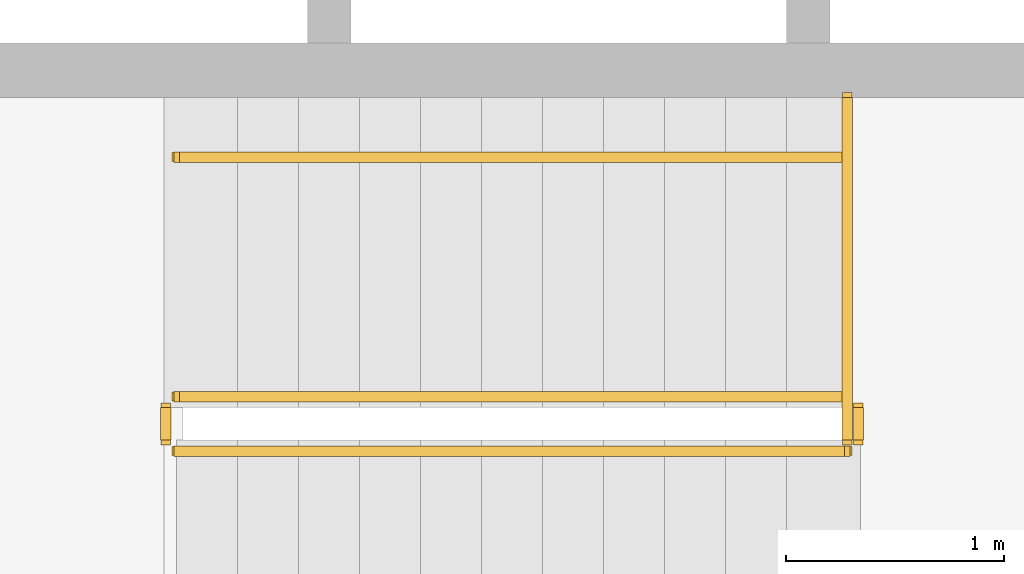
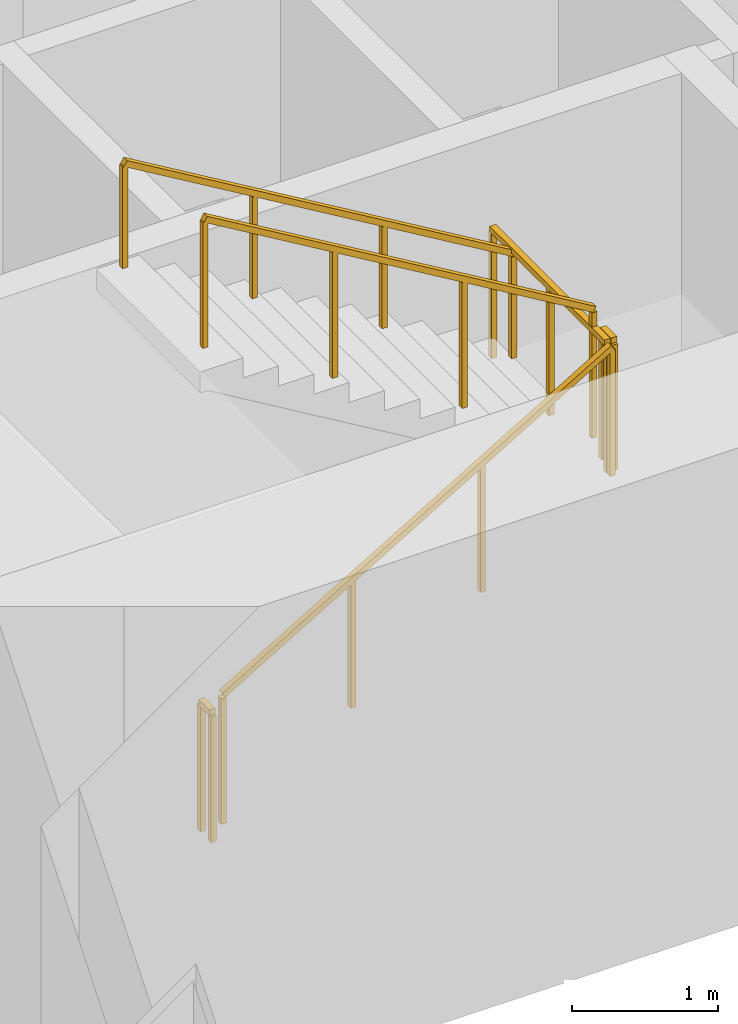
# One storey, part 13 of 16: 6 railings.
"""IFC4 building model written with IfcOpenShell, lengths in metres."""

from ifc_helpers import new_model, si_unit, direction, frame, origin, origin_2d, place, context, subcontext, project, spatial, rectangle, extrude, material, type_object, element, save


model = new_model("IFC4")

# Units and contexts
model_context = context("Model", 3, precision=1e-05, world=origin(), true_north=direction((0.0, 1.0)))
body_context = subcontext(model_context, "Body", "Model", "MODEL_VIEW")
ifc_project = project(units=[si_unit("LENGTHUNIT", "METRE"), si_unit("AREAUNIT", "SQUARE_METRE"), si_unit("VOLUMEUNIT", "CUBIC_METRE"), si_unit("PLANEANGLEUNIT", "RADIAN"), si_unit("MASSUNIT", "GRAM", prefix="KILO")], contexts=[model_context])

# Site, building, storey
site_placement = place(None, origin())
site = spatial("IfcSite", under=ifc_project, at=site_placement, CompositionType="ELEMENT")
building_placement = place(site_placement, origin())
building = spatial("IfcBuilding", under=site, at=building_placement, Name="Sennacour Bend Tower", CompositionType="ELEMENT")
storey_placement = place(building_placement, frame((0.0, 0.0, 111.0)))
storey = spatial("IfcBuildingStorey", under=building, at=storey_placement, Name="L25", CompositionType="ELEMENT", Elevation=111.0)

# Railings
ifc_material = material(Name="Stainless steel", Category="steel")
railing_type_1 = type_object("IfcRailingType", Name="RL-GUARD-1100", PredefinedType="GUARDRAIL", material=ifc_material)
railing_1_placement = place(storey_placement, frame((56.699951171875, 2.449951171875, 0.166748046875)))
element("IfcRailing", 1, at=railing_1_placement, inside=storey, type_object=railing_type_1, Name="L25 SA1 stair guard 1", PredefinedType="GUARDRAIL", context=body_context, shape_type="SweptSolid", body=[
    extrude(rectangle(XDim=0.048095703125, YDim=0.048095703125, at=origin_2d()), frame((0.0, 0.0, 1.076171875), z_axis=(0.859308565015, 0.0, 0.511457515432), x_axis=(0.0, 1.0, 0.0)), (0.0, 0.0, 1.0), 3.58447265625),
    extrude(rectangle(XDim=0.0419921875, YDim=0.0419921875, at=origin_2d()), origin(), (0.0, 0.0, 1.0), 1.052001953125),
    extrude(rectangle(XDim=0.0419921875, YDim=0.0419921875, at=origin_2d()), frame((1.026611328125, 0.0, 0.611083984375)), (0.0, 0.0, 1.0), 1.052001953125),
    extrude(rectangle(XDim=0.0419921875, YDim=0.0419921875, at=origin_2d()), frame((2.053466796875, 0.0, 1.22216796875)), (0.0, 0.0, 1.0), 1.052001953125),
    extrude(rectangle(XDim=0.0419921875, YDim=0.0419921875, at=origin_2d()), frame((3.080078125, 0.0, 1.833251953125)), (0.0, 0.0, 1.0), 1.052001953125),
])
railing_2_placement = place(storey_placement, frame((59.830078125, 2.5, 2.0)))
element("IfcRailing", 2, at=railing_2_placement, inside=storey, type_object=railing_type_1, Name="L25 SA1 stair guard 2", PredefinedType="GUARDRAIL", context=body_context, shape_type="SweptSolid", body=[
    extrude(rectangle(XDim=0.048095703125, YDim=0.048095703125, at=origin_2d()), frame((0.0, 0.0, 1.076171875), z_axis=(0.0, 1.0, 0.0), x_axis=(-1.0, 0.0, 0.0)), (0.0, 0.0, 1.0), 0.14990234375),
    extrude(rectangle(XDim=0.0419921875, YDim=0.0419921875, at=origin_2d()), origin(), (0.0, 0.0, 1.0), 1.052001953125),
    extrude(rectangle(XDim=0.0419921875, YDim=0.0419921875, at=origin_2d()), frame((0.0, 0.14990234375, 0.0)), (0.0, 0.0, 1.0), 1.052001953125),
])
railing_3_placement = place(storey_placement, frame((59.780029296875, 2.699951171875, 2.166748046875)))
element("IfcRailing", 3, at=railing_3_placement, inside=storey, type_object=railing_type_1, Name="L25 SA1 stair guard 4", PredefinedType="GUARDRAIL", context=body_context, shape_type="SweptSolid", body=[
    extrude(rectangle(XDim=0.048095703125, YDim=0.048095703125, at=origin_2d()), frame((0.0, 0.0, 1.076171875), z_axis=(-0.859308565015, 0.0, 0.511457515432), x_axis=(0.0, -1.0, 0.0)), (0.0, 0.0, 1.0), 3.58447265625),
    extrude(rectangle(XDim=0.0419921875, YDim=0.0419921875, at=origin_2d()), origin(), (0.0, 0.0, 1.0), 1.052001953125),
    extrude(rectangle(XDim=0.0419921875, YDim=0.0419921875, at=origin_2d()), frame((-1.026611328125, 0.0, 0.611083984375)), (0.0, 0.0, 1.0), 1.052001953125),
    extrude(rectangle(XDim=0.0419921875, YDim=0.0419921875, at=origin_2d()), frame((-2.053466796875, 0.0, 1.22216796875)), (0.0, 0.0, 1.0), 1.052001953125),
    extrude(rectangle(XDim=0.0419921875, YDim=0.0419921875, at=origin_2d()), frame((-3.080078125, 0.0, 1.833251953125)), (0.0, 0.0, 1.0), 1.052001953125),
])
railing_4_placement = place(storey_placement, frame((56.64990234375, 2.5, 0.0)))
element("IfcRailing", 4, at=railing_4_placement, inside=storey, type_object=railing_type_1, Name="L25 SA1 stair guard 5", PredefinedType="GUARDRAIL", context=body_context, shape_type="SweptSolid", body=[
    extrude(rectangle(XDim=0.048095703125, YDim=0.048095703125, at=origin_2d()), frame((0.0, 0.0, 1.076171875), z_axis=(0.0, 1.0, 0.0), x_axis=(-1.0, 0.0, 0.0)), (0.0, 0.0, 1.0), 0.14990234375),
    extrude(rectangle(XDim=0.0419921875, YDim=0.0419921875, at=origin_2d()), origin(), (0.0, 0.0, 1.0), 1.052001953125),
    extrude(rectangle(XDim=0.0419921875, YDim=0.0419921875, at=origin_2d()), frame((0.0, 0.14990234375, 0.0)), (0.0, 0.0, 1.0), 1.052001953125),
])
railing_5_placement = place(storey_placement, frame((59.780029296875, 2.5, 2.0)))
element("IfcRailing", 5, at=railing_5_placement, inside=storey, type_object=railing_type_1, Name="L25 SA1 landing edge guard 43", PredefinedType="GUARDRAIL", context=body_context, shape_type="SweptSolid", body=[
    extrude(rectangle(XDim=0.048095703125, YDim=0.048095703125, at=origin_2d()), frame((0.0, 0.0, 1.076171875), z_axis=(0.0, 1.0, 0.0), x_axis=(-1.0, 0.0, 0.0)), (0.0, 0.0, 1.0), 1.574951171875),
    extrude(rectangle(XDim=0.0419921875, YDim=0.0419921875, at=origin_2d()), origin(), (0.0, 0.0, 1.0), 1.052001953125),
    extrude(rectangle(XDim=0.0419921875, YDim=0.0419921875, at=origin_2d()), frame((0.0, 0.78759765625, 0.0)), (0.0, 0.0, 1.0), 1.052001953125),
    extrude(rectangle(XDim=0.0419921875, YDim=0.0419921875, at=origin_2d()), frame((0.0, 1.574951171875, 0.0)), (0.0, 0.0, 1.0), 1.052001953125),
])
railing_type_2 = type_object("IfcRailingType", Name="RL-HANDRAIL-900", PredefinedType="HANDRAIL", material=ifc_material)
railing_6_placement = place(storey_placement, frame((59.780029296875, 3.800048828125, 2.166748046875)))
element("IfcRailing", 6, at=railing_6_placement, inside=storey, type_object=railing_type_2, Name="L25 SA1 stair handrail 2", PredefinedType="HANDRAIL", context=body_context, shape_type="SweptSolid", body=[
    extrude(rectangle(XDim=0.048095703125, YDim=0.048095703125, at=origin_2d()), frame((0.0, 0.0, 0.8759765625), z_axis=(-0.859308565015, 0.0, 0.511457515432), x_axis=(0.0, -1.0, 0.0)), (0.0, 0.0, 1.0), 3.58447265625),
    extrude(rectangle(XDim=0.0419921875, YDim=0.0419921875, at=origin_2d()), origin(), (0.0, 0.0, 1.0), 0.851806640625),
    extrude(rectangle(XDim=0.0419921875, YDim=0.0419921875, at=origin_2d()), frame((-1.026611328125, 0.0, 0.611083984375)), (0.0, 0.0, 1.0), 0.851806640625),
    extrude(rectangle(XDim=0.0419921875, YDim=0.0419921875, at=origin_2d()), frame((-2.053466796875, 0.0, 1.22216796875)), (0.0, 0.0, 1.0), 0.851806640625),
    extrude(rectangle(XDim=0.0419921875, YDim=0.0419921875, at=origin_2d()), frame((-3.080078125, 0.0, 1.833251953125)), (0.0, 0.0, 1.0), 0.851806640625),
])

save(model, "model.ifc")
